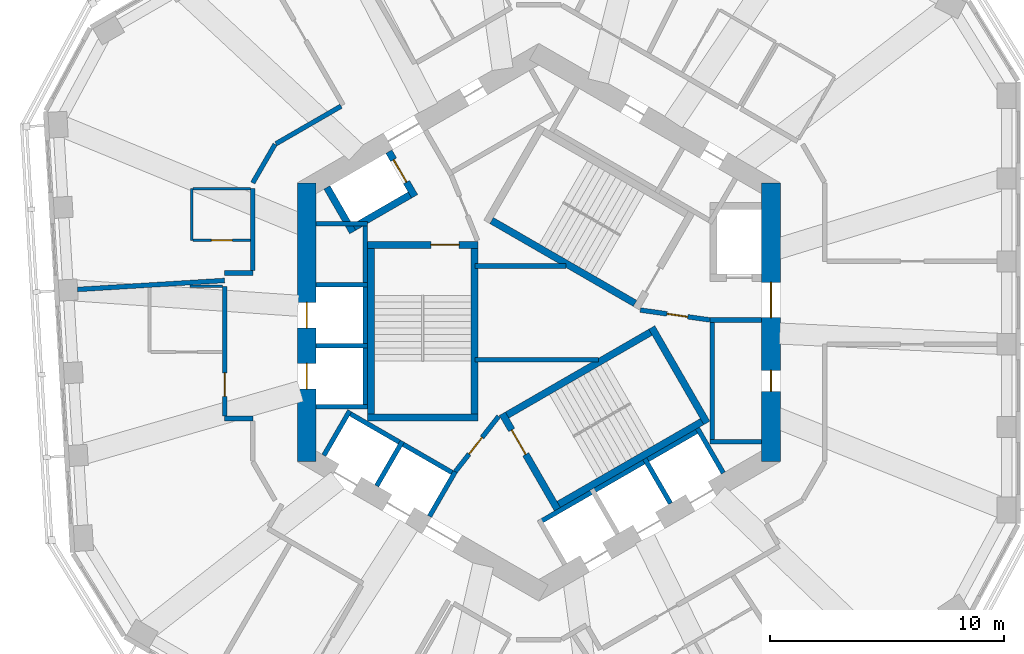
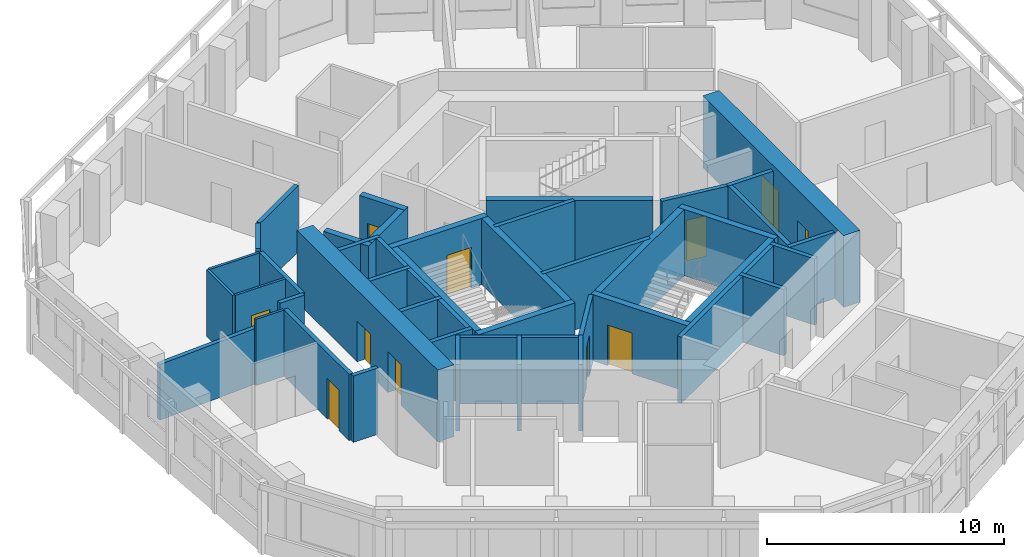
# One storey, part 5 of 11: 44 walls, 11 doors, 11 openings.
"""IFC4 building model written with IfcOpenShell, lengths in metres."""

from ifc_helpers import new_model, si_unit, direction, frame, frame_2d, origin, place, context, subcontext, project, spatial, rectangle, extrude, material, layer, layer_set, type_object, element, fill, save


model = new_model("IFC4")

# Units and contexts
model_context = context("Model", 3, precision=1e-05, world=origin(), true_north=direction((0.0, 1.0)))
body_context = subcontext(model_context, "Body", "Model", "MODEL_VIEW")
ifc_project = project(units=[si_unit("LENGTHUNIT", "METRE"), si_unit("AREAUNIT", "SQUARE_METRE"), si_unit("VOLUMEUNIT", "CUBIC_METRE"), si_unit("PLANEANGLEUNIT", "RADIAN"), si_unit("MASSUNIT", "GRAM", prefix="KILO")], contexts=[model_context])

# Site, building, storey
site_placement = place(None, origin())
site = spatial("IfcSite", under=ifc_project, at=site_placement, CompositionType="ELEMENT")
building_placement = place(site_placement, origin())
building = spatial("IfcBuilding", under=site, at=building_placement, Name="Vanh Sen Convention Tower", CompositionType="ELEMENT")
storey_placement = place(building_placement, frame((0.0, 0.0, 236.5)))
storey = spatial("IfcBuildingStorey", under=building, at=storey_placement, Name="L58", CompositionType="ELEMENT", Elevation=236.5)

# Walls
ifc_material_1 = material(Name="Moisture-resistant gypsum board on steel studs", Category="steel")
ifc_layer_1 = layer(ifc_material_1, 0.1201171875)
ifc_layer_set_1 = layer_set([ifc_layer_1], Name="Moisture-resistant gypsum board on steel studs")
wall_type_1 = type_object("IfcWallType", Name="Bathroom partition 120", PredefinedType="PARTITIONING", material=ifc_layer_set_1)
wall_1_placement = place(storey_placement, frame((-14.869384765625, 1.533203125, 0.0), z_axis=(0.0, 0.0, 1.0), x_axis=(1.0, 0.0, 0.0)))
element("IfcWall", 1, at=wall_1_placement, inside=storey, type_object=wall_type_1, Name="Bathroom partition 120", PredefinedType="PARTITIONING", context=body_context, shape_type="SweptSolid", body=[
    extrude(rectangle(XDim=1.368408203125, YDim=0.1201171875, at=frame_2d((0.68408203125, 0.0))), origin(), (0.0, 0.0, 1.0), 3.419921875),
])
wall_2_placement = place(storey_placement, frame((-14.800048828125, 3.49658203125, 0.0), z_axis=(0.0, 0.0, 1.0), x_axis=(0.0, 1.0, 0.0)))
element("IfcWall", 2, at=wall_2_placement, inside=storey, type_object=wall_type_1, Name="Bathroom partition 120", PredefinedType="PARTITIONING", context=body_context, shape_type="SweptSolid", body=[
    extrude(rectangle(XDim=2.2001953125, YDim=0.1201171875, at=frame_2d((1.10009765625, 0.0))), origin(), (0.0, 0.0, 1.0), 3.419921875),
])
wall_3_placement = place(storey_placement, frame((-14.739990234375, 5.69677734375, 0.0), z_axis=(0.0, 0.0, 1.0), x_axis=(1.0, 0.0, 0.0)))
element("IfcWall", 3, at=wall_3_placement, inside=storey, type_object=wall_type_1, Name="Bathroom partition 120", PredefinedType="PARTITIONING", context=body_context, shape_type="SweptSolid", body=[
    extrude(rectangle(XDim=2.43994140625, YDim=0.1201171875, at=frame_2d((1.219970703125, 0.0))), origin(), (0.0, 0.0, 1.0), 3.419921875),
])

# Wall, opening, door
wall_4_placement = place(storey_placement, frame((-12.300048828125, 3.49658203125, 0.0), z_axis=(0.0, 0.0, 1.0), x_axis=(-1.0, 0.0, 0.0)))
wall_4 = element("IfcWall", 4, at=wall_4_placement, inside=storey, type_object=wall_type_1, Name="Bathroom partition 120", PredefinedType="PARTITIONING", context=body_context, shape_type="SweptSolid", body=[
    extrude(rectangle(XDim=2.43994140625, YDim=0.1201171875, at=frame_2d((1.219970703125, 0.0))), origin(), (0.0, 0.0, 1.0), 3.419921875),
])
opening_1_placement = place(wall_4_placement, frame((0.77001953125, 0.0, 0.0)))
opening_1 = element("IfcOpeningElement", 5, at=opening_1_placement, cuts=wall_4, Name="Opening D56108", PredefinedType="OPENING", context=body_context, shape_type="SweptSolid", body=[
    extrude(rectangle(XDim=0.89990234375, YDim=2.10009765625, at=frame_2d((0.449951171875, 1.050048828125))), frame((0.0, 0.070068359375, 0.0), z_axis=(0.0, -1.0, 0.0), x_axis=(1.0, 0.0, 0.0)), (0.0, 0.0, 1.0), 0.14013671875),
])
ifc_material_2 = material(Name="Laminate door in steel frame", Category="steel")
door_type_1 = type_object("IfcDoorType", Name="Room internal door 900", OperationType="SINGLE_SWING_LEFT", PredefinedType="DOOR", material=ifc_material_2)
door_1_placement = place(opening_1_placement, origin())
door_1 = element("IfcDoor", 6, at=door_1_placement, inside=storey, type_object=door_type_1, Name="Internal room door D56108", OperationType="SINGLE_SWING_LEFT", OverallHeight=2.10009765625, OverallWidth=0.89990234375, PredefinedType="DOOR", context=body_context, shape_type="SweptSolid", body=[
    extrude(rectangle(XDim=0.89990234375, YDim=2.10009765625, at=frame_2d((0.449951171875, 1.050048828125))), frame((0.0, 0.02490234375, 0.0), z_axis=(0.0, -1.0, 0.0), x_axis=(1.0, 0.0, 0.0)), (0.0, 0.0, 1.0), 0.050048828125),
])
fill(opening_1, door_1)

# Wall, openings, doors
ifc_material_3 = material(Name="Concrete C60/75", Category="concrete")
ifc_layer_2 = layer(ifc_material_3, 0.800048828125)
ifc_layer_set_2 = layer_set([ifc_layer_2], Name="Concrete C60/75")
wall_type_2 = type_object("IfcWallType", Name="Core outer wall 800 C60/75", PredefinedType="SHEAR", material=ifc_layer_set_2)
wall_5_placement = place(storey_placement, frame((9.89990234375, -5.94677734375, 0.0), z_axis=(0.0, 0.0, 1.0), x_axis=(0.0, 1.0, 0.0)))
wall_5 = element("IfcWall", 7, at=wall_5_placement, inside=storey, type_object=wall_type_2, Name="Core wall face E L58", PredefinedType="SHEAR", context=body_context, shape_type="SweptSolid", body=[
    extrude(rectangle(XDim=11.8935546875, YDim=0.800048828125, at=frame_2d((5.94677734375, 0.0))), origin(), (0.0, 0.0, 1.0), 3.699951171875),
])
opening_2_placement = place(wall_5_placement, frame((6.146728515625, 0.0, 0.0)))
opening_2 = element("IfcOpeningElement", 8, at=opening_2_placement, cuts=wall_5, Name="Opening D56001", PredefinedType="OPENING", context=body_context, shape_type="SweptSolid", body=[
    extrude(rectangle(XDim=1.5, YDim=2.10009765625, at=frame_2d((0.75, 1.050048828125))), frame((0.0, 0.409912109375, 0.0), z_axis=(0.0, -1.0, 0.0), x_axis=(1.0, 0.0, 0.0)), (0.0, 0.0, 1.0), 0.820068359375),
])
opening_3_placement = place(wall_5_placement, frame((2.99658203125, 0.0, 0.0)))
opening_3 = element("IfcOpeningElement", 9, at=opening_3_placement, cuts=wall_5, Name="Opening D56010", PredefinedType="OPENING", context=body_context, shape_type="SweptSolid", body=[
    extrude(rectangle(XDim=0.89990234375, YDim=2.10009765625, at=frame_2d((0.449951171875, 1.050048828125))), frame((0.0, 0.409912109375, 0.0), z_axis=(0.0, -1.0, 0.0), x_axis=(1.0, 0.0, 0.0)), (0.0, 0.0, 1.0), 0.820068359375),
])
ifc_material_4 = material(Name="Steel S355", Category="steel")
door_type_2 = type_object("IfcDoorType", Name="Plant door 900", OperationType="SINGLE_SWING_LEFT", PredefinedType="DOOR", material=ifc_material_4)
door_2_placement = place(opening_3_placement, origin())
door_2 = element("IfcDoor", 10, at=door_2_placement, inside=storey, type_object=door_type_2, Name="Plant door D56010", OperationType="SINGLE_SWING_LEFT", OverallHeight=2.10009765625, OverallWidth=0.89990234375, PredefinedType="DOOR", context=body_context, shape_type="SweptSolid", body=[
    extrude(rectangle(XDim=0.89990234375, YDim=2.10009765625, at=frame_2d((0.449951171875, 1.050048828125))), frame((0.0, 0.02490234375, 0.0), z_axis=(0.0, -1.0, 0.0), x_axis=(1.0, 0.0, 0.0)), (0.0, 0.0, 1.0), 0.050048828125),
])
fill(opening_3, door_2)
door_type_3 = type_object("IfcDoorType", Name="Stair lobby door 1500", OperationType="DOUBLE_DOOR_SINGLE_SWING", PredefinedType="DOOR", material=ifc_material_4)
door_3_placement = place(opening_2_placement, origin())
door_3 = element("IfcDoor", 11, at=door_3_placement, inside=storey, type_object=door_type_3, Name="Stair lobby door D56001", OperationType="DOUBLE_DOOR_SINGLE_SWING", OverallHeight=2.10009765625, OverallWidth=1.5, PredefinedType="DOOR", context=body_context, shape_type="SweptSolid", body=[
    extrude(rectangle(XDim=1.5, YDim=2.10009765625, at=frame_2d((0.75, 1.050048828125))), frame((0.0, 0.02490234375, 0.0), z_axis=(0.0, -1.0, 0.0), x_axis=(1.0, 0.0, 0.0)), (0.0, 0.0, 1.0), 0.050048828125),
])
fill(opening_2, door_3)

wall_6_placement = place(storey_placement, frame((-9.89990234375, 5.94677734375, 0.0), z_axis=(0.0, 0.0, 1.0), x_axis=(0.0, -1.0, 0.0)))
wall_6 = element("IfcWall", 12, at=wall_6_placement, inside=storey, type_object=wall_type_2, Name="Core wall face W L58", PredefinedType="SHEAR", context=body_context, shape_type="SweptSolid", body=[
    extrude(rectangle(XDim=11.8935546875, YDim=0.800048828125, at=frame_2d((5.94677734375, 0.0))), origin(), (0.0, 0.0, 1.0), 3.699951171875),
])
opening_4_placement = place(wall_6_placement, frame((5.0966796875, 0.0, 0.0)))
opening_4 = element("IfcOpeningElement", 13, at=opening_4_placement, cuts=wall_6, Name="Opening LD-HR1", PredefinedType="OPENING", context=body_context, shape_type="SweptSolid", body=[
    extrude(rectangle(XDim=1.10009765625, YDim=2.10009765625, at=frame_2d((0.550048828125, 1.050048828125))), frame((0.0, 0.409912109375, 0.0), z_axis=(0.0, -1.0, 0.0), x_axis=(1.0, 0.0, 0.0)), (0.0, 0.0, 1.0), 0.820068359375),
])
opening_5_placement = place(wall_6_placement, frame((7.69677734375, 0.0, 0.0)))
opening_5 = element("IfcOpeningElement", 14, at=opening_5_placement, cuts=wall_6, Name="Opening LD-HR2", PredefinedType="OPENING", context=body_context, shape_type="SweptSolid", body=[
    extrude(rectangle(XDim=1.10009765625, YDim=2.10009765625, at=frame_2d((0.550048828125, 1.050048828125))), frame((0.0, 0.409912109375, 0.0), z_axis=(0.0, -1.0, 0.0), x_axis=(1.0, 0.0, 0.0)), (0.0, 0.0, 1.0), 0.820068359375),
])
ifc_material_5 = material(Name="Stainless steel", Category="steel")
door_type_4 = type_object("IfcDoorType", Name="Lift landing door 1100", OperationType="DOUBLE_DOOR_SLIDING", PredefinedType="DOOR", material=ifc_material_5)
door_4_placement = place(opening_4_placement, origin())
door_4 = element("IfcDoor", 15, at=door_4_placement, inside=storey, type_object=door_type_4, Name="Lift HR1 landing door LD-HR1", OperationType="DOUBLE_DOOR_SLIDING", OverallHeight=2.10009765625, OverallWidth=1.10009765625, PredefinedType="DOOR", context=body_context, shape_type="SweptSolid", body=[
    extrude(rectangle(XDim=1.10009765625, YDim=2.10009765625, at=frame_2d((0.550048828125, 1.050048828125))), frame((0.0, 0.02490234375, 0.0), z_axis=(0.0, -1.0, 0.0), x_axis=(1.0, 0.0, 0.0)), (0.0, 0.0, 1.0), 0.050048828125),
])
fill(opening_4, door_4)
door_5_placement = place(opening_5_placement, origin())
door_5 = element("IfcDoor", 16, at=door_5_placement, inside=storey, type_object=door_type_4, Name="Lift HR2 landing door LD-HR2", OperationType="DOUBLE_DOOR_SLIDING", OverallHeight=2.10009765625, OverallWidth=1.10009765625, PredefinedType="DOOR", context=body_context, shape_type="SweptSolid", body=[
    extrude(rectangle(XDim=1.10009765625, YDim=2.10009765625, at=frame_2d((0.550048828125, 1.050048828125))), frame((0.0, 0.02490234375, 0.0), z_axis=(0.0, -1.0, 0.0), x_axis=(1.0, 0.0, 0.0)), (0.0, 0.0, 1.0), 0.050048828125),
])
fill(opening_5, door_5)

# Walls
ifc_material_6 = material(Name="Masonry blockwork", Category="masonry")
ifc_layer_3 = layer(ifc_material_6, 0.199951171875)
ifc_layer_set_3 = layer_set([ifc_layer_3], Name="Masonry blockwork")
wall_type_3 = type_object("IfcWallType", Name="Core partition 200", PredefinedType="PARTITIONING", material=ifc_layer_set_3)
wall_7_placement = place(storey_placement, frame((-2.719970703125, -1.60009765625, 0.0), z_axis=(0.0, 0.0, 1.0), x_axis=(1.0, 0.0, 0.0)))
element("IfcWall", 17, at=wall_7_placement, inside=storey, type_object=wall_type_3, Name="Core partition L58", PredefinedType="PARTITIONING", context=body_context, shape_type="SweptSolid", body=[
    extrude(rectangle(XDim=5.2685546875, YDim=0.199951171875, at=frame_2d((2.63427734375, 0.0))), origin(), (0.0, 0.0, 1.0), 3.419921875),
])
wall_8_placement = place(storey_placement, frame((-2.719970703125, 2.39990234375, 0.0), z_axis=(0.0, 0.0, 1.0), x_axis=(1.0, 0.0, 0.0)))
element("IfcWall", 18, at=wall_8_placement, inside=storey, type_object=wall_type_3, Name="Core partition L58", PredefinedType="PARTITIONING", context=body_context, shape_type="SweptSolid", body=[
    extrude(rectangle(XDim=3.883056640625, YDim=0.199951171875, at=frame_2d((1.94140625, 0.0))), origin(), (0.0, 0.0, 1.0), 3.419921875),
])
ifc_material_7 = material(Name="Gypsum board on steel studs with mineral wool", Category="steel")
ifc_layer_4 = layer(ifc_material_7, 0.199951171875)
ifc_layer_set_4 = layer_set([ifc_layer_4], Name="Gypsum board on steel studs with mineral wool")
wall_type_4 = type_object("IfcWallType", Name="Corridor partition wall 200", PredefinedType="PARTITIONING", material=ifc_layer_set_4)
wall_9_placement = place(storey_placement, frame((-13.40087890625, -4.10107421875, 0.0), z_axis=(0.0, 0.0, 1.0), x_axis=(1.0, 0.0, 0.0)))
element("IfcWall", 19, at=wall_9_placement, inside=storey, type_object=wall_type_4, Name="Corridor partition wall 200", PredefinedType="PARTITIONING", context=body_context, shape_type="SweptSolid", body=[
    extrude(rectangle(XDim=1.200927734375, YDim=0.199951171875, at=frame_2d((0.6005859375, 0.0))), origin(), (0.0, 0.0, 1.0), 3.419921875),
])

# Wall, opening, door
wall_10_placement = place(storey_placement, frame((-13.40087890625, 1.533203125, 0.0), z_axis=(0.0, 0.0, 1.0), x_axis=(0.0, -1.0, 0.0)))
wall_10 = element("IfcWall", 20, at=wall_10_placement, inside=storey, type_object=wall_type_4, Name="Corridor partition wall 200", PredefinedType="PARTITIONING", context=body_context, shape_type="SweptSolid", body=[
    extrude(rectangle(XDim=5.5341796875, YDim=0.199951171875, at=frame_2d((2.76708984375, 0.0))), origin(), (0.0, 0.0, 1.0), 3.419921875),
])
opening_6_placement = place(wall_10_placement, frame((3.692138671875, 0.0, 0.0)))
opening_6 = element("IfcOpeningElement", 21, at=opening_6_placement, cuts=wall_10, Name="Opening D56109", PredefinedType="OPENING", context=body_context, shape_type="SweptSolid", body=[
    extrude(rectangle(XDim=1.0, YDim=2.10009765625, at=frame_2d((0.5, 1.050048828125))), frame((0.0, 0.10986328125, 0.0), z_axis=(0.0, -1.0, 0.0), x_axis=(1.0, 0.0, 0.0)), (0.0, 0.0, 1.0), 0.219970703125),
])
ifc_material_8 = material(Name="Glazed fire door in steel frame", Category="steel")
door_type_5 = type_object("IfcDoorType", Name="Tenant entrance door 1000", OperationType="SINGLE_SWING_LEFT", PredefinedType="DOOR", material=ifc_material_8)
door_6_placement = place(opening_6_placement, origin())
door_6 = element("IfcDoor", 22, at=door_6_placement, inside=storey, type_object=door_type_5, Name="Tenant suite entrance door D56109", OperationType="SINGLE_SWING_LEFT", OverallHeight=2.10009765625, OverallWidth=1.0, PredefinedType="DOOR", context=body_context, shape_type="SweptSolid", body=[
    extrude(rectangle(XDim=1.0, YDim=2.10009765625, at=frame_2d((0.5, 1.050048828125))), frame((0.0, 0.02490234375, 0.0), z_axis=(0.0, -1.0, 0.0), x_axis=(1.0, 0.0, 0.0)), (0.0, 0.0, 1.0), 0.050048828125),
])
fill(opening_6, door_6)

# Walls
wall_11_placement = place(storey_placement, frame((-12.199951171875, 2.10107421875, 0.0), z_axis=(0.0, 0.0, 1.0), x_axis=(-1.0, 0.0, 0.0)))
element("IfcWall", 23, at=wall_11_placement, inside=storey, type_object=wall_type_4, Name="Corridor partition wall 200", PredefinedType="PARTITIONING", context=body_context, shape_type="SweptSolid", body=[
    extrude(rectangle(XDim=1.200927734375, YDim=0.199951171875, at=frame_2d((0.6005859375, 0.0))), origin(), (0.0, 0.0, 1.0), 3.419921875),
])
wall_12_placement = place(storey_placement, frame((-12.199951171875, 5.69677734375, 0.0), z_axis=(0.0, 0.0, 1.0), x_axis=(0.0, -1.0, 0.0)))
element("IfcWall", 24, at=wall_12_placement, inside=storey, type_object=wall_type_4, Name="Corridor partition wall 200", PredefinedType="PARTITIONING", context=body_context, shape_type="SweptSolid", body=[
    extrude(rectangle(XDim=3.495849609375, YDim=0.199951171875, at=frame_2d((1.748046875, 0.0))), origin(), (0.0, 0.0, 1.0), 3.419921875),
])
wall_13_placement = place(storey_placement, frame((-11.25, 7.592041015625, 0.0), z_axis=(0.0, 0.0, 1.0), x_axis=(-0.500022797313, -0.86601224135, 0.0)))
element("IfcWall", 25, at=wall_13_placement, inside=storey, type_object=wall_type_4, Name="Corridor partition wall 200", PredefinedType="PARTITIONING", context=body_context, shape_type="SweptSolid", body=[
    extrude(rectangle(XDim=1.89990234375, YDim=0.199951171875, at=frame_2d((0.949951171875, 0.0))), origin(), (0.0, 0.0, 1.0), 3.419921875),
])
wall_14_placement = place(storey_placement, frame((-8.4365234375, 9.216552734375, 0.0), z_axis=(0.0, 0.0, 1.0), x_axis=(-0.866005660673, -0.500034194513, 0.0)))
element("IfcWall", 26, at=wall_14_placement, inside=storey, type_object=wall_type_4, Name="Corridor partition wall 200", PredefinedType="PARTITIONING", context=body_context, shape_type="SweptSolid", body=[
    extrude(rectangle(XDim=3.208740234375, YDim=0.199951171875, at=frame_2d((1.6044921875, 0.0))), origin(), (0.0, 0.0, 1.0), 3.419921875),
])

# Wall, opening, door
ifc_layer_5 = layer(ifc_material_3, 0.300048828125)
ifc_layer_set_5 = layer_set([ifc_layer_5], Name="Concrete C60/75")
wall_type_5 = type_object("IfcWallType", Name="Fire-fighting lift shaft wall 300", PredefinedType="SHEAR", material=ifc_layer_set_5)
wall_15_placement = place(storey_placement, frame((-5.29541015625, 5.3720703125, 0.0), z_axis=(0.0, 0.0, 1.0), x_axis=(-0.500077893725, 0.86598042715, 0.0)))
wall_15 = element("IfcWall", 27, at=wall_15_placement, inside=storey, type_object=wall_type_5, Name="Fire-fighting lift shaft wall L58", PredefinedType="SHEAR", context=body_context, shape_type="SweptSolid", body=[
    extrude(rectangle(XDim=2.199951171875, YDim=0.300048828125, at=frame_2d((1.10009765625, 0.0))), origin(), (0.0, 0.0, 1.0), 3.419921875),
])
opening_7_placement = place(wall_15_placement, frame((0.699951171875, 0.0, 0.0)))
opening_7 = element("IfcOpeningElement", 28, at=opening_7_placement, cuts=wall_15, Name="Opening LD-FF2", PredefinedType="OPENING", context=body_context, shape_type="SweptSolid", body=[
    extrude(rectangle(XDim=1.10009765625, YDim=2.10009765625, at=frame_2d((0.550048828125, 1.050048828125))), frame((0.0, 0.159912109375, 0.0), z_axis=(0.0, -1.0, 0.0), x_axis=(1.0, 0.0, 0.0)), (0.0, 0.0, 1.0), 0.320068359375),
])
door_type_6 = type_object("IfcDoorType", Name="Fire-fighting lift landing door 1100", OperationType="DOUBLE_DOOR_SLIDING", PredefinedType="DOOR", material=ifc_material_5)
door_7_placement = place(opening_7_placement, origin())
door_7 = element("IfcDoor", 29, at=door_7_placement, inside=storey, type_object=door_type_6, Name="Lift FF2 landing door LD-FF2", OperationType="DOUBLE_DOOR_SLIDING", OverallHeight=2.10009765625, OverallWidth=1.10009765625, PredefinedType="DOOR", context=body_context, shape_type="SweptSolid", body=[
    extrude(rectangle(XDim=1.10009765625, YDim=2.10009765625, at=frame_2d((0.550048828125, 1.050048828125))), frame((0.0, 0.02490234375, 0.0), z_axis=(0.0, -1.0, 0.0), x_axis=(1.0, 0.0, 0.0)), (0.0, 0.0, 1.0), 0.050048828125),
])
fill(opening_7, door_7)

# Walls
wall_16_placement = place(storey_placement, frame((-5.240478515625, 5.576904296875, 0.0), z_axis=(0.0, 0.0, 1.0), x_axis=(-0.866014461049, -0.500018952895, 0.0)))
element("IfcWall", 30, at=wall_16_placement, inside=storey, type_object=wall_type_5, Name="Fire-fighting lift shaft wall L58", PredefinedType="SHEAR", context=body_context, shape_type="SweptSolid", body=[
    extrude(rectangle(XDim=3.349853515625, YDim=0.300048828125, at=frame_2d((1.6748046875, 0.0))), origin(), (0.0, 0.0, 1.0), 3.419921875),
])
wall_17_placement = place(storey_placement, frame((-7.936767578125, 3.846923828125, 0.0), z_axis=(0.0, 0.0, 1.0), x_axis=(-0.50002983664, 0.866008176907, 0.0)))
element("IfcWall", 31, at=wall_17_placement, inside=storey, type_object=wall_type_5, Name="Fire-fighting lift shaft wall L58", PredefinedType="SHEAR", context=body_context, shape_type="SweptSolid", body=[
    extrude(rectangle(XDim=2.199951171875, YDim=0.300048828125, at=frame_2d((1.10009765625, 0.0))), origin(), (0.0, 0.0, 1.0), 3.419921875),
])
ifc_material_9 = material(Name="Concrete C40/50", Category="concrete")
ifc_layer_6 = layer(ifc_material_9, 0.199951171875)
ifc_layer_set_6 = layer_set([ifc_layer_6], Name="Concrete C40/50")
wall_type_6 = type_object("IfcWallType", Name="Lift shaft wall 200", PredefinedType="PARTITIONING", material=ifc_layer_set_6)
wall_18_placement = place(storey_placement, frame((7.39990234375, -5.199951171875, 0.0), z_axis=(0.0, 0.0, 1.0), x_axis=(0.0, 1.0, 0.0)))
element("IfcWall", 32, at=wall_18_placement, inside=storey, type_object=wall_type_6, Name="Lift shaft wall L58", PredefinedType="PARTITIONING", context=body_context, shape_type="SweptSolid", body=[
    extrude(rectangle(XDim=5.39990234375, YDim=0.199951171875, at=frame_2d((2.699951171875, 0.0))), origin(), (0.0, 0.0, 1.0), 3.419921875),
])
for number, where, z_axis, x_axis, name in (
    (33, (7.300048828125, -5.10009765625, 0.0), (0.0, 0.0, 1.0), (1.0, 0.0, 0.0), "Lift shaft wall L58"),
    (34, (7.300048828125, 0.10009765625, 0.0), (0.0, 0.0, 1.0), (1.0, 0.0, 0.0), "Lift shaft wall L58"),
):
    element("IfcWall", number, at=place(storey_placement, frame(where, z_axis=z_axis, x_axis=x_axis)), inside=storey, type_object=wall_type_6, Name=name, PredefinedType="PARTITIONING", context=body_context, shape_type="SweptSolid", body=[
        extrude(rectangle(XDim=2.199951171875, YDim=0.199951171875, at=frame_2d((1.10009765625, 0.0))), origin(), (0.0, 0.0, 1.0), 3.419921875),
    ])
wall_19_placement = place(storey_placement, frame((-7.39990234375, 4.300048828125, 0.0), z_axis=(0.0, 0.0, 1.0), x_axis=(0.0, -1.0, 0.0)))
element("IfcWall", 35, at=wall_19_placement, inside=storey, type_object=wall_type_6, Name="Lift shaft wall L58", PredefinedType="PARTITIONING", context=body_context, shape_type="SweptSolid", body=[
    extrude(rectangle(XDim=8.0, YDim=0.199951171875, at=frame_2d((4.0, 0.0))), origin(), (0.0, 0.0, 1.0), 3.419921875),
])
for number, where, z_axis, x_axis, name in (
    (36, (-7.300048828125, 4.199951171875, 0.0), (0.0, 0.0, 1.0), (-1.0, 0.0, 0.0), "Lift shaft wall L58"),
    (37, (-7.300048828125, 1.60009765625, 0.0), (0.0, 0.0, 1.0), (-1.0, 0.0, 0.0), "Lift shaft wall L58"),
    (38, (-7.300048828125, -1.0, 0.0), (0.0, 0.0, 1.0), (-1.0, 0.0, 0.0), "Lift shaft wall L58"),
    (39, (-7.300048828125, -3.60009765625, 0.0), (0.0, 0.0, 1.0), (-1.0, 0.0, 0.0), "Lift shaft wall L58"),
):
    element("IfcWall", number, at=place(storey_placement, frame(where, z_axis=z_axis, x_axis=x_axis)), inside=storey, type_object=wall_type_6, Name=name, PredefinedType="PARTITIONING", context=body_context, shape_type="SweptSolid", body=[
        extrude(rectangle(XDim=2.199951171875, YDim=0.199951171875, at=frame_2d((1.10009765625, 0.0))), origin(), (0.0, 0.0, 1.0), 3.419921875),
    ])
wall_20_placement = place(storey_placement, frame((-8.203369140625, -3.80859375, 0.0), z_axis=(0.0, 0.0, 1.0), x_axis=(0.866028230842, -0.499995103361, 0.0)))
element("IfcWall", 40, at=wall_20_placement, inside=storey, type_object=wall_type_6, Name="Lift shaft wall L58", PredefinedType="PARTITIONING", context=body_context, shape_type="SweptSolid", body=[
    extrude(rectangle(XDim=5.39990234375, YDim=0.199951171875, at=frame_2d((2.699951171875, 0.0))), origin(), (0.0, 0.0, 1.0), 3.419921875),
])
for number, where, z_axis, x_axis, name in (
    (41, (-8.066650390625, -3.77197265625, 0.0), (0.0, 0.0, 1.0), (-0.50002983664, -0.866008176907, 0.0), "Lift shaft wall L58"),
    (42, (-5.815185546875, -5.072021484375, 0.0), (0.0, 0.0, 1.0), (-0.499946605688, -0.86605622881, 0.0), "Lift shaft wall L58"),
):
    element("IfcWall", number, at=place(storey_placement, frame(where, z_axis=z_axis, x_axis=x_axis)), inside=storey, type_object=wall_type_6, Name=name, PredefinedType="PARTITIONING", context=body_context, shape_type="SweptSolid", body=[
        extrude(rectangle(XDim=2.199951171875, YDim=0.199951171875, at=frame_2d((1.10009765625, 0.0))), origin(), (0.0, 0.0, 1.0), 3.419921875),
    ])
wall_21_placement = place(storey_placement, frame((-3.5634765625, -6.3720703125, 0.0), z_axis=(0.0, 0.0, 1.0), x_axis=(-0.499994660107, -0.866028486751, 0.0)))
element("IfcWall", 43, at=wall_21_placement, inside=storey, type_object=wall_type_6, Name="Lift shaft wall L58", PredefinedType="PARTITIONING", context=body_context, shape_type="SweptSolid", body=[
    extrude(rectangle(XDim=2.19970703125, YDim=0.199951171875, at=frame_2d((1.099853515625, 0.0))), origin(), (0.0, 0.0, 1.0), 3.419921875),
])
wall_22_placement = place(storey_placement, frame((-0.02392578125, -8.55859375, 0.0), z_axis=(0.0, 0.0, 1.0), x_axis=(0.866026010844, 0.49999894854, 0.0)))
element("IfcWall", 44, at=wall_22_placement, inside=storey, type_object=wall_type_6, Name="Lift shaft wall L58", PredefinedType="PARTITIONING", context=body_context, shape_type="SweptSolid", body=[
    extrude(rectangle(XDim=8.0, YDim=0.199951171875, at=frame_2d((4.0, 0.0))), origin(), (0.0, 0.0, 1.0), 3.419921875),
])
for number, where, z_axis, x_axis, name in (
    (45, (4.51611328125, -5.822021484375, 0.0), (0.0, 0.0, 1.0), (0.499946605688, -0.86605622881, 0.0), "Lift shaft wall L58"),
    (46, (6.767578125, -4.52197265625, 0.0), (0.0, 0.0, 1.0), (0.50002983664, -0.866008176907, 0.0), "Lift shaft wall L58"),
):
    element("IfcWall", number, at=place(storey_placement, frame(where, z_axis=z_axis, x_axis=x_axis)), inside=storey, type_object=wall_type_6, Name=name, PredefinedType="PARTITIONING", context=body_context, shape_type="SweptSolid", body=[
        extrude(rectangle(XDim=2.199951171875, YDim=0.199951171875, at=frame_2d((1.10009765625, 0.0))), origin(), (0.0, 0.0, 1.0), 3.419921875),
    ])

# Wall, opening, door
ifc_layer_7 = layer(ifc_material_9, 0.199951171875)
ifc_layer_set_7 = layer_set([ifc_layer_7], Name="Concrete C40/50")
wall_type_7 = type_object("IfcWallType", Name="Stair lobby wall 200", PredefinedType="PARTITIONING", material=ifc_layer_set_7)
wall_23_placement = place(storey_placement, frame((4.327392578125, 0.52099609375, 0.0), z_axis=(0.0, 0.0, 1.0), x_axis=(0.990124376366, -0.14019172346, 0.0)))
wall_23 = element("IfcWall", 47, at=wall_23_placement, inside=storey, type_object=wall_type_7, Name="Stair lobby wall L58", PredefinedType="PARTITIONING", context=body_context, shape_type="SweptSolid", body=[
    extrude(rectangle(XDim=3.002197265625, YDim=0.199951171875, at=frame_2d((1.5009765625, 0.0))), origin(), (0.0, 0.0, 1.0), 3.419921875),
])
opening_8_placement = place(wall_23_placement, frame((1.14990234375, 0.0, 0.0)))
opening_8 = element("IfcOpeningElement", 48, at=opening_8_placement, cuts=wall_23, Name="Opening D56007", PredefinedType="OPENING", context=body_context, shape_type="SweptSolid", body=[
    extrude(rectangle(XDim=0.89990234375, YDim=2.10009765625, at=frame_2d((0.449951171875, 1.050048828125))), frame((0.0, 0.10986328125, 0.0), z_axis=(0.0, -1.0, 0.0), x_axis=(1.0, 0.0, 0.0)), (0.0, 0.0, 1.0), 0.219970703125),
])
door_8_placement = place(opening_8_placement, origin())
door_8 = element("IfcDoor", 49, at=door_8_placement, inside=storey, type_object=door_type_2, Name="Plant door D56007", OperationType="SINGLE_SWING_LEFT", OverallHeight=2.10009765625, OverallWidth=0.89990234375, PredefinedType="DOOR", context=body_context, shape_type="SweptSolid", body=[
    extrude(rectangle(XDim=0.89990234375, YDim=2.10009765625, at=frame_2d((0.449951171875, 1.050048828125))), frame((0.0, 0.02490234375, 0.0), z_axis=(0.0, -1.0, 0.0), x_axis=(1.0, 0.0, 0.0)), (0.0, 0.0, 1.0), 0.050048828125),
])
fill(opening_8, door_8)

wall_24_placement = place(storey_placement, frame((-1.71240234375, -4.00830078125, 0.0), z_axis=(0.0, 0.0, 1.0), x_axis=(-0.616549420702, -0.787316208287, 0.0)))
wall_24 = element("IfcWall", 50, at=wall_24_placement, inside=storey, type_object=wall_type_7, Name="Stair lobby wall L58", PredefinedType="PARTITIONING", context=body_context, shape_type="SweptSolid", body=[
    extrude(rectangle(XDim=3.002197265625, YDim=0.199951171875, at=frame_2d((1.5009765625, 0.0))), origin(), (0.0, 0.0, 1.0), 3.419921875),
])
opening_9_placement = place(wall_24_placement, frame((1.14990234375, 0.0, 0.0)))
opening_9 = element("IfcOpeningElement", 51, at=opening_9_placement, cuts=wall_24, Name="Opening D56009", PredefinedType="OPENING", context=body_context, shape_type="SweptSolid", body=[
    extrude(rectangle(XDim=0.89990234375, YDim=2.10009765625, at=frame_2d((0.449951171875, 1.050048828125))), frame((0.0, 0.10986328125, 0.0), z_axis=(0.0, -1.0, 0.0), x_axis=(1.0, 0.0, 0.0)), (0.0, 0.0, 1.0), 0.219970703125),
])
door_9_placement = place(opening_9_placement, origin())
door_9 = element("IfcDoor", 52, at=door_9_placement, inside=storey, type_object=door_type_2, Name="Plant door D56009", OperationType="SINGLE_SWING_LEFT", OverallHeight=2.10009765625, OverallWidth=0.89990234375, PredefinedType="DOOR", context=body_context, shape_type="SweptSolid", body=[
    extrude(rectangle(XDim=0.89990234375, YDim=2.10009765625, at=frame_2d((0.449951171875, 1.050048828125))), frame((0.0, 0.02490234375, 0.0), z_axis=(0.0, -1.0, 0.0), x_axis=(1.0, 0.0, 0.0)), (0.0, 0.0, 1.0), 0.050048828125),
])
fill(opening_9, door_9)

# Wall
ifc_layer_8 = layer(ifc_material_3, 0.300048828125)
ifc_layer_set_8 = layer_set([ifc_layer_8], Name="Concrete C60/75")
wall_type_8 = type_object("IfcWallType", Name="Stair wall 300", PredefinedType="SHEAR", material=ifc_layer_set_8)
wall_25_placement = place(storey_placement, frame((4.10302734375, 0.806640625, 0.0), z_axis=(0.0, 0.0, 1.0), x_axis=(-0.866027801685, 0.499995846692, 0.0)))
element("IfcWall", 53, at=wall_25_placement, inside=storey, type_object=wall_type_8, Name="Stair wall L58", PredefinedType="SHEAR", context=body_context, shape_type="SweptSolid", body=[
    extrude(rectangle(XDim=7.06005859375, YDim=0.300048828125, at=frame_2d((3.530029296875, 0.0))), origin(), (0.0, 0.0, 1.0), 3.419921875),
])

# Wall, opening, door
wall_26_placement = place(storey_placement, frame((-2.60009765625, 3.300048828125, 0.0), z_axis=(0.0, 0.0, 1.0), x_axis=(-1.0, 0.0, 0.0)))
wall_26 = element("IfcWall", 54, at=wall_26_placement, inside=storey, type_object=wall_type_8, Name="Stair wall L58", PredefinedType="SHEAR", context=body_context, shape_type="SweptSolid", body=[
    extrude(rectangle(XDim=4.699951171875, YDim=0.300048828125, at=frame_2d((2.35009765625, 0.0))), origin(), (0.0, 0.0, 1.0), 3.419921875),
])
opening_10_placement = place(wall_26_placement, frame((0.800048828125, 0.0, 0.0)))
opening_10 = element("IfcOpeningElement", 55, at=opening_10_placement, cuts=wall_26, Name="Opening D56005", PredefinedType="OPENING", context=body_context, shape_type="SweptSolid", body=[
    extrude(rectangle(XDim=1.199951171875, YDim=2.10009765625, at=frame_2d((0.60009765625, 1.050048828125))), frame((0.0, 0.159912109375, 0.0), z_axis=(0.0, -1.0, 0.0), x_axis=(1.0, 0.0, 0.0)), (0.0, 0.0, 1.0), 0.320068359375),
])
door_type_7 = type_object("IfcDoorType", Name="Stair door 1200", OperationType="SINGLE_SWING_RIGHT", PredefinedType="DOOR", material=ifc_material_4)
door_10_placement = place(opening_10_placement, origin())
door_10 = element("IfcDoor", 56, at=door_10_placement, inside=storey, type_object=door_type_7, Name="Stair ST2 door D56005", OperationType="SINGLE_SWING_RIGHT", OverallHeight=2.10009765625, OverallWidth=1.199951171875, PredefinedType="DOOR", context=body_context, shape_type="SweptSolid", body=[
    extrude(rectangle(XDim=1.199951171875, YDim=2.10009765625, at=frame_2d((0.60009765625, 1.050048828125))), frame((0.0, 0.02490234375, 0.0), z_axis=(0.0, -1.0, 0.0), x_axis=(1.0, 0.0, 0.0)), (0.0, 0.0, 1.0), 0.050048828125),
])
fill(opening_10, door_10)

# Walls
wall_27_placement = place(storey_placement, frame((-2.60009765625, -4.06005859375, 0.0), z_axis=(0.0, 0.0, 1.0), x_axis=(-1.0, 0.0, 0.0)))
element("IfcWall", 57, at=wall_27_placement, inside=storey, type_object=wall_type_8, Name="Stair wall L58", PredefinedType="SHEAR", context=body_context, shape_type="SweptSolid", body=[
    extrude(rectangle(XDim=4.699951171875, YDim=0.300048828125, at=frame_2d((2.35009765625, 0.0))), origin(), (0.0, 0.0, 1.0), 3.419921875),
])
for number, where, z_axis, x_axis, name in (
    (58, (-2.75, 3.14990234375, 0.0), (0.0, 0.0, 1.0), (0.0, -1.0, 0.0), "Stair wall L58"),
    (59, (-7.14990234375, 3.14990234375, 0.0), (0.0, 0.0, 1.0), (0.0, -1.0, 0.0), "Stair wall L58"),
):
    element("IfcWall", number, at=place(storey_placement, frame(where, z_axis=z_axis, x_axis=x_axis)), inside=storey, type_object=wall_type_8, Name=name, PredefinedType="SHEAR", context=body_context, shape_type="SweptSolid", body=[
        extrude(rectangle(XDim=7.059814453125, YDim=0.300048828125, at=frame_2d((3.52978515625, 0.0))), origin(), (0.0, 0.0, 1.0), 3.419921875),
    ])

# Wall, opening, door
wall_28_placement = place(storey_placement, frame((-1.557861328125, -3.901611328125, 0.0), z_axis=(0.0, 0.0, 1.0), x_axis=(0.499977259774, -0.866038532462, 0.0)))
wall_28 = element("IfcWall", 60, at=wall_28_placement, inside=storey, type_object=wall_type_8, Name="Stair wall L58", PredefinedType="SHEAR", context=body_context, shape_type="SweptSolid", body=[
    extrude(rectangle(XDim=4.699951171875, YDim=0.300048828125, at=frame_2d((2.35009765625, 0.0))), origin(), (0.0, 0.0, 1.0), 3.419921875),
])
opening_11_placement = place(wall_28_placement, frame((0.800048828125, 0.0, 0.0)))
opening_11 = element("IfcOpeningElement", 61, at=opening_11_placement, cuts=wall_28, Name="Opening D56006", PredefinedType="OPENING", context=body_context, shape_type="SweptSolid", body=[
    extrude(rectangle(XDim=1.199951171875, YDim=2.10009765625, at=frame_2d((0.60009765625, 1.050048828125))), frame((0.0, 0.159912109375, 0.0), z_axis=(0.0, -1.0, 0.0), x_axis=(1.0, 0.0, 0.0)), (0.0, 0.0, 1.0), 0.320068359375),
])
door_11_placement = place(opening_11_placement, origin())
door_11 = element("IfcDoor", 62, at=door_11_placement, inside=storey, type_object=door_type_7, Name="Stair ST3 door D56006", OperationType="SINGLE_SWING_RIGHT", OverallHeight=2.10009765625, OverallWidth=1.199951171875, PredefinedType="DOOR", context=body_context, shape_type="SweptSolid", body=[
    extrude(rectangle(XDim=1.199951171875, YDim=2.10009765625, at=frame_2d((0.60009765625, 1.050048828125))), frame((0.0, 0.02490234375, 0.0), z_axis=(0.0, -1.0, 0.0), x_axis=(1.0, 0.0, 0.0)), (0.0, 0.0, 1.0), 0.050048828125),
])
fill(opening_11, door_11)

# Walls
wall_29_placement = place(storey_placement, frame((4.816162109375, -0.2216796875, 0.0), z_axis=(0.0, 0.0, 1.0), x_axis=(0.499977259774, -0.866038532462, 0.0)))
element("IfcWall", 63, at=wall_29_placement, inside=storey, type_object=wall_type_8, Name="Stair wall L58", PredefinedType="SHEAR", context=body_context, shape_type="SweptSolid", body=[
    extrude(rectangle(XDim=4.699951171875, YDim=0.300048828125, at=frame_2d((2.35009765625, 0.0))), origin(), (0.0, 0.0, 1.0), 3.419921875),
])
for number, where, z_axis, x_axis, name in (
    (64, (-1.35302734375, -3.95654296875, 0.0), (0.0, 0.0, 1.0), (0.866027801685, 0.499995846692, 0.0), "Stair wall L58"),
    (65, (0.846923828125, -7.76708984375, 0.0), (0.0, 0.0, 1.0), (0.866027801685, 0.499995846692, 0.0), "Stair wall L58"),
):
    element("IfcWall", number, at=place(storey_placement, frame(where, z_axis=z_axis, x_axis=x_axis)), inside=storey, type_object=wall_type_8, Name=name, PredefinedType="SHEAR", context=body_context, shape_type="SweptSolid", body=[
        extrude(rectangle(XDim=7.06005859375, YDim=0.300048828125, at=frame_2d((3.530029296875, 0.0))), origin(), (0.0, 0.0, 1.0), 3.419921875),
    ])
ifc_layer_9 = layer(ifc_material_7, 0.199951171875)
ifc_layer_set_9 = layer_set([ifc_layer_9], Name="Gypsum board on steel studs with mineral wool")
wall_type_9 = type_object("IfcWallType", Name="Tenant suite wall 200", PredefinedType="PARTITIONING", material=ifc_layer_set_9)
wall_30_placement = place(storey_placement, frame((-19.672119140625, 1.399658203125, 0.0), z_axis=(0.0, 0.0, 1.0), x_axis=(0.99813499784, 0.061045278997, 0.0)))
element("IfcWall", 66, at=wall_30_placement, inside=storey, type_object=wall_type_9, Name="Tenant suite wall 200", PredefinedType="PARTITIONING", context=body_context, shape_type="SweptSolid", body=[
    extrude(rectangle(XDim=6.282958984375, YDim=0.199951171875, at=frame_2d((3.1416015625, 0.0))), origin(), (0.0, 0.0, 1.0), 2.8701171875),
])

save(model, "model.ifc")
